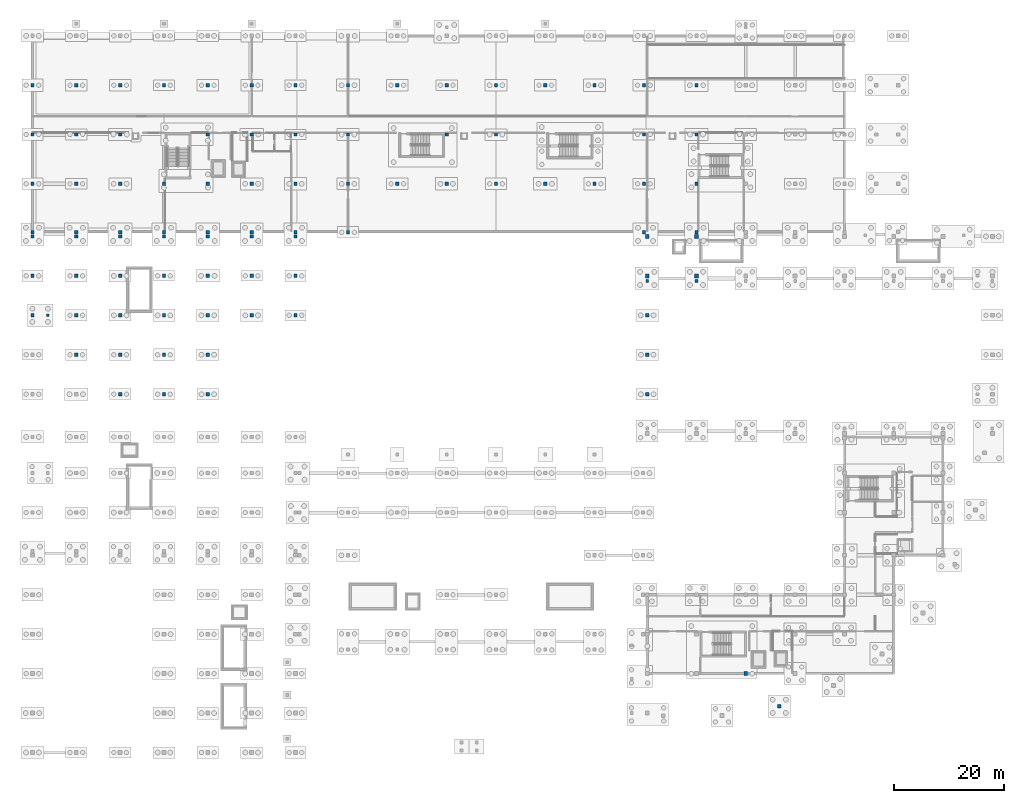
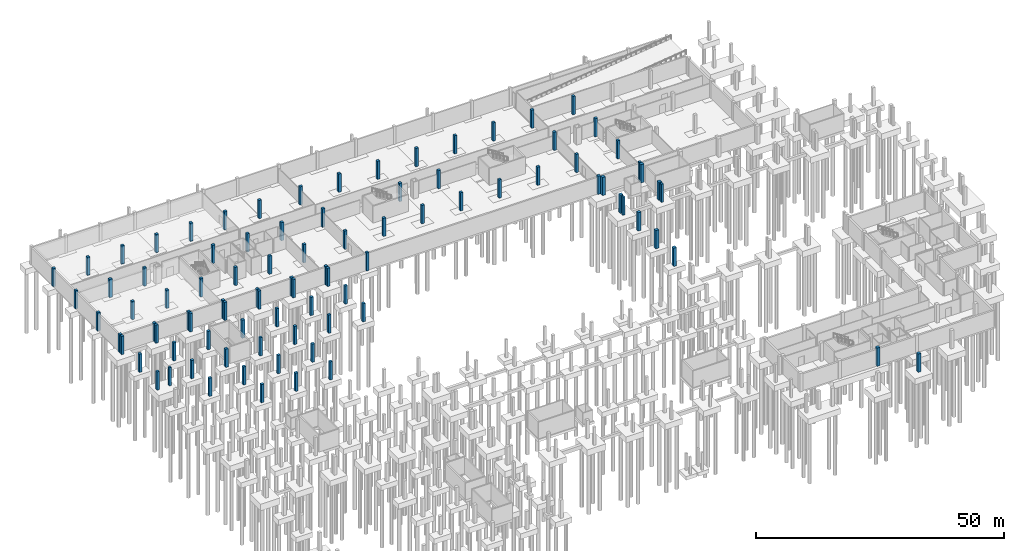
# One storey, part 14 of 36: 91 columns.
"""IFC4 building model written with IfcOpenShell, lengths in metres."""

from ifc_helpers import new_model, si_unit, direction, frame, origin, origin_2d, place, context, subcontext, project, spatial, rectangle, extrude, material, material_profile, profile_set, type_object, element, save


model = new_model("IFC4")

# Units and contexts
model_context = context("Model", 3, precision=1e-05, world=origin(), true_north=direction((0.0, 1.0)))
body_context = subcontext(model_context, "Body", "Model", "MODEL_VIEW")
ifc_project = project(units=[si_unit("LENGTHUNIT", "METRE"), si_unit("AREAUNIT", "SQUARE_METRE"), si_unit("VOLUMEUNIT", "CUBIC_METRE"), si_unit("PLANEANGLEUNIT", "RADIAN"), si_unit("MASSUNIT", "GRAM", prefix="KILO")], contexts=[model_context])

# Site, building, storey
site_placement = place(None, origin())
site = spatial("IfcSite", under=ifc_project, at=site_placement, CompositionType="ELEMENT")
building_placement = place(site_placement, origin())
building = spatial("IfcBuilding", under=site, at=building_placement, Name="Chiffa Square Polytechnic", CompositionType="ELEMENT")
storey_placement = place(building_placement, frame((0.0, 0.0, -4.5)))
storey = spatial("IfcBuildingStorey", under=building, at=storey_placement, Name="B1", CompositionType="ELEMENT", Elevation=-4.5)

# Columns
ifc_material_1 = material(Name="Concrete C35/45", Category="concrete")
ifc_material_profile_1 = material_profile(ifc_material_1, rectangle(XDim=0.5, YDim=0.5, at=origin_2d()), Name="RC 500x500")
ifc_profile_set_1 = profile_set([ifc_material_profile_1], Name="Concrete C35/45")
column_type_1 = type_object("IfcColumnType", Name="COL-PIER-500", PredefinedType="PILASTER", material=ifc_profile_set_1)
for number, where, z_axis, x_axis, name in (
    (1, (2.800048828125, 79.800048828125, 0.0), (0.0, 0.0, 1.0), (1.0, 0.0, 0.0), "Apron support pier CP-APR-B1-02"),
    (2, (112.199951171875, 86.050048828125, 0.0), (0.0, 0.0, 1.0), (1.0, 0.0, 0.0), "Crane stanchion foundation pier C-V2-CRN-B1-112-N"),
    (3, (121.199951171875, 86.050048828125, 0.0), (0.0, 0.0, 1.0), (1.0, 0.0, 0.0), "Crane stanchion foundation pier C-V2-CRN-B1-121-N"),
):
    element("IfcColumn", number, at=place(storey_placement, frame(where, z_axis=z_axis, x_axis=x_axis)), inside=storey, type_object=column_type_1, Name=name, PredefinedType="PILASTER", context=body_context, shape_type="SweptSolid", body=[
        extrude(rectangle(XDim=0.5, YDim=0.5, at=origin_2d()), origin(), (0.0, 0.0, 1.0), 4.5),
    ])
ifc_material_profile_2 = material_profile(ifc_material_1, rectangle(XDim=0.60009765625, YDim=0.60009765625, at=origin_2d()), Name="RC 600x600")
ifc_profile_set_2 = profile_set([ifc_material_profile_2], Name="Concrete C35/45")
column_type_2 = type_object("IfcColumnType", Name="COL-PIER-600", PredefinedType="PILASTER", material=ifc_profile_set_2)
for number, where, z_axis, x_axis, name in (
    (4, (0.0, 79.800048828125, 0.0), (0.0, 0.0, 1.0), (1.0, 0.0, 0.0), "Substructure column C-V6-B1-0000-0798"),
    (5, (0.0, 87.0, 0.0), (0.0, 0.0, 1.0), (1.0, 0.0, 0.0), "Substructure column C-V6-B1-0000-0870"),
    (6, (0.0, 94.199951171875, 0.0), (0.0, 0.0, 1.0), (1.0, 0.0, 0.0), "Substructure column C-V6-B1-0000-0942"),
    (7, (8.0, 72.60009765625, 0.0), (0.0, 0.0, 1.0), (1.0, 0.0, 0.0), "Substructure column C-V6-B1-0080-0726"),
    (8, (8.0, 79.800048828125, 0.0), (0.0, 0.0, 1.0), (1.0, 0.0, 0.0), "Substructure column C-V6-B1-0080-0798"),
    (9, (8.0, 87.0, 0.0), (0.0, 0.0, 1.0), (1.0, 0.0, 0.0), "Substructure column C-V6-B1-0080-0870"),
    (10, (8.0, 94.199951171875, 0.0), (0.0, 0.0, 1.0), (1.0, 0.0, 0.0), "Substructure column C-V6-B1-0080-0942"),
    (11, (16.0, 65.39990234375, 0.0), (0.0, 0.0, 1.0), (1.0, 0.0, 0.0), "Substructure column C-V6-B1-0160-0654"),
    (12, (16.0, 72.60009765625, 0.0), (0.0, 0.0, 1.0), (1.0, 0.0, 0.0), "Substructure column C-V6-B1-0160-0726"),
    (13, (16.0, 79.800048828125, 0.0), (0.0, 0.0, 1.0), (1.0, 0.0, 0.0), "Substructure column C-V6-B1-0160-0798"),
    (14, (16.0, 87.0, 0.0), (0.0, 0.0, 1.0), (1.0, 0.0, 0.0), "Substructure column C-V6-B1-0160-0870"),
    (15, (16.0, 94.199951171875, 0.0), (0.0, 0.0, 1.0), (1.0, 0.0, 0.0), "Substructure column C-V6-B1-0160-0942"),
    (16, (24.0, 65.39990234375, 0.0), (0.0, 0.0, 1.0), (1.0, 0.0, 0.0), "Substructure column C-V6-B1-0240-0654"),
    (17, (24.0, 72.60009765625, 0.0), (0.0, 0.0, 1.0), (1.0, 0.0, 0.0), "Substructure column C-V6-B1-0240-0726"),
    (18, (24.0, 79.800048828125, 0.0), (0.0, 0.0, 1.0), (1.0, 0.0, 0.0), "Substructure column C-V6-B1-0240-0798"),
    (19, (24.0, 87.0, 0.0), (0.0, 0.0, 1.0), (1.0, 0.0, 0.0), "Substructure column C-V6-B1-0240-0870"),
    (20, (24.0, 94.199951171875, 0.0), (0.0, 0.0, 1.0), (1.0, 0.0, 0.0), "Substructure column C-V6-B1-0240-0942"),
    (21, (32.0, 65.39990234375, 0.0), (0.0, 0.0, 1.0), (1.0, 0.0, 0.0), "Substructure column C-V6-B1-0320-0654"),
    (22, (32.0, 72.60009765625, 0.0), (0.0, 0.0, 1.0), (1.0, 0.0, 0.0), "Substructure column C-V6-B1-0320-0726"),
    (23, (32.0, 79.800048828125, 0.0), (0.0, 0.0, 1.0), (1.0, 0.0, 0.0), "Substructure column C-V6-B1-0320-0798"),
    (24, (32.0, 87.0, 0.0), (0.0, 0.0, 1.0), (1.0, 0.0, 0.0), "Substructure column C-V6-B1-0320-0870"),
    (25, (32.0, 94.199951171875, 0.0), (0.0, 0.0, 1.0), (1.0, 0.0, 0.0), "Substructure column C-V6-B1-0320-0942"),
    (26, (40.0, 79.800048828125, 0.0), (0.0, 0.0, 1.0), (1.0, 0.0, 0.0), "Substructure column C-V6-B1-0400-0798"),
    (27, (40.0, 87.0, 0.0), (0.0, 0.0, 1.0), (1.0, 0.0, 0.0), "Substructure column C-V6-B1-0400-0870"),
    (28, (40.0, 94.199951171875, 0.0), (0.0, 0.0, 1.0), (1.0, 0.0, 0.0), "Substructure column C-V6-B1-0400-0942"),
    (29, (48.0, 79.800048828125, 0.0), (0.0, 0.0, 1.0), (1.0, 0.0, 0.0), "Substructure column C-V6-B1-0480-0798"),
    (30, (48.0, 87.0, 0.0), (0.0, 0.0, 1.0), (1.0, 0.0, 0.0), "Substructure column C-V6-B1-0480-0870"),
    (31, (48.0, 94.199951171875, 0.0), (0.0, 0.0, 1.0), (1.0, 0.0, 0.0), "Substructure column C-V6-B1-0480-0942"),
):
    element("IfcColumn", number, at=place(storey_placement, frame(where, z_axis=z_axis, x_axis=x_axis)), inside=storey, type_object=column_type_2, Name=name, PredefinedType="PILASTER", context=body_context, shape_type="SweptSolid", body=[
        extrude(rectangle(XDim=0.60009765625, YDim=0.60009765625, at=origin_2d()), origin(), (0.0, 0.0, 1.0), 4.5),
    ])
ifc_material_profile_3 = material_profile(ifc_material_1, rectangle(XDim=0.699951171875, YDim=0.699951171875, at=origin_2d()), Name="RC 700x700")
ifc_profile_set_3 = profile_set([ifc_material_profile_3], Name="Concrete C35/45")
column_type_3 = type_object("IfcColumnType", Name="COL-PIER-700", PredefinedType="PILASTER", material=ifc_profile_set_3)
for number, where, z_axis, x_axis, name in (
    (32, (112.199951171875, 65.39990234375, 0.0), (0.0, 0.0, 1.0), (1.0, 0.0, 0.0), "Substructure column C-V2-B1-1122-0654"),
    (33, (112.199951171875, 72.60009765625, 0.0), (0.0, 0.0, 1.0), (1.0, 0.0, 0.0), "Substructure column C-V2-B1-1122-0726"),
    (34, (112.199951171875, 79.800048828125, 0.0), (0.0, 0.0, 1.0), (1.0, 0.0, 0.0), "Substructure column C-V2-B1-1122-0798"),
    (35, (112.199951171875, 87.0, 0.0), (0.0, 0.0, 1.0), (1.0, 0.0, 0.0), "Substructure column C-V2-B1-1122-0870"),
    (36, (112.199951171875, 94.199951171875, 0.0), (0.0, 0.0, 1.0), (1.0, 0.0, 0.0), "Substructure column C-V2-B1-1122-0942"),
    (37, (121.199951171875, 87.0, 0.0), (0.0, 0.0, 1.0), (1.0, 0.0, 0.0), "Substructure column C-V2-B1-1212-0870"),
    (38, (121.199951171875, 94.199951171875, 0.0), (0.0, 0.0, 1.0), (1.0, 0.0, 0.0), "Substructure column C-V2-B1-1212-0942"),
    (39, (136.306884765625, 8.43408203125, 0.0), (0.0, 0.0, 1.0), (1.0, 0.0, 0.0), "Prow V-column foundation pier CP-V1-VB-03"),
):
    element("IfcColumn", number, at=place(storey_placement, frame(where, z_axis=z_axis, x_axis=x_axis)), inside=storey, type_object=column_type_3, Name=name, PredefinedType="PILASTER", context=body_context, shape_type="SweptSolid", body=[
        extrude(rectangle(XDim=0.699951171875, YDim=0.699951171875, at=origin_2d()), origin(), (0.0, 0.0, 1.0), 4.5),
    ])
ifc_material_2 = material(Name="Concrete C40/50", Category="concrete")
ifc_material_profile_4 = material_profile(ifc_material_2, rectangle(XDim=0.60009765625, YDim=0.60009765625, at=origin_2d()), Name="RC 600x600")
ifc_profile_set_4 = profile_set([ifc_material_profile_4], Name="Concrete C40/50")
column_type_4 = type_object("IfcColumnType", Name="COL-RC-600", PredefinedType="COLUMN", material=ifc_profile_set_4)
for number, where, z_axis, x_axis, name in (
    (40, (0.0, 94.949951171875, 0.0), (0.0, 0.0, 1.0), (1.0, 0.0, 0.0), "Substructure column C-V5-B1-0000-0950"),
    (41, (0.0, 103.800048828125, 0.0), (0.0, 0.0, 1.0), (1.0, 0.0, 0.0), "Substructure column C-V5-B1-0000-1038"),
    (42, (0.0, 112.800048828125, 0.0), (0.0, 0.0, 1.0), (1.0, 0.0, 0.0), "Substructure column C-V5-B1-0000-1128"),
    (43, (0.0, 121.800048828125, 0.0), (0.0, 0.0, 1.0), (1.0, 0.0, 0.0), "Substructure column C-V5-B1-0000-1218"),
    (44, (8.0, 94.949951171875, 0.0), (0.0, 0.0, 1.0), (1.0, 0.0, 0.0), "Substructure column C-V5-B1-0080-0950"),
    (45, (8.0, 103.800048828125, 0.0), (0.0, 0.0, 1.0), (1.0, 0.0, 0.0), "Substructure column C-V5-B1-0080-1038"),
    (46, (8.0, 112.800048828125, 0.0), (0.0, 0.0, 1.0), (1.0, 0.0, 0.0), "Substructure column C-V5-B1-0080-1128"),
    (47, (8.0, 121.800048828125, 0.0), (0.0, 0.0, 1.0), (1.0, 0.0, 0.0), "Substructure column C-V5-B1-0080-1218"),
    (48, (16.0, 94.949951171875, 0.0), (0.0, 0.0, 1.0), (1.0, 0.0, 0.0), "Substructure column C-V5-B1-0160-0950"),
    (49, (16.0, 103.800048828125, 0.0), (0.0, 0.0, 1.0), (1.0, 0.0, 0.0), "Substructure column C-V5-B1-0160-1038"),
    (50, (16.0, 112.800048828125, 0.0), (0.0, 0.0, 1.0), (1.0, 0.0, 0.0), "Substructure column C-V5-B1-0160-1128"),
    (51, (16.0, 121.800048828125, 0.0), (0.0, 0.0, 1.0), (1.0, 0.0, 0.0), "Substructure column C-V5-B1-0160-1218"),
    (52, (24.0, 94.949951171875, 0.0), (0.0, 0.0, 1.0), (1.0, 0.0, 0.0), "Substructure column C-V5-B1-0240-0950"),
    (53, (24.0, 103.800048828125, 0.0), (0.0, 0.0, 1.0), (1.0, 0.0, 0.0), "Substructure column C-V5-B1-0240-1038"),
    (54, (24.0, 121.800048828125, 0.0), (0.0, 0.0, 1.0), (1.0, 0.0, 0.0), "Substructure column C-V5-B1-0240-1218"),
    (55, (32.0, 94.949951171875, 0.0), (0.0, 0.0, 1.0), (1.0, 0.0, 0.0), "Substructure column C-V5-B1-0320-0950"),
    (56, (32.0, 103.800048828125, 0.0), (0.0, 0.0, 1.0), (1.0, 0.0, 0.0), "Substructure column C-V5-B1-0320-1038"),
    (57, (32.0, 112.800048828125, 0.0), (0.0, 0.0, 1.0), (1.0, 0.0, 0.0), "Substructure column C-V5-B1-0320-1128"),
    (58, (32.0, 121.800048828125, 0.0), (0.0, 0.0, 1.0), (1.0, 0.0, 0.0), "Substructure column C-V5-B1-0320-1218"),
    (59, (40.0, 94.949951171875, 0.0), (0.0, 0.0, 1.0), (1.0, 0.0, 0.0), "Substructure column C-V5-B1-0400-0950"),
    (60, (40.0, 103.800048828125, 0.0), (0.0, 0.0, 1.0), (1.0, 0.0, 0.0), "Substructure column C-V5-B1-0400-1038"),
    (61, (40.0, 112.800048828125, 0.0), (0.0, 0.0, 1.0), (1.0, 0.0, 0.0), "Substructure column C-V5-B1-0400-1128"),
    (62, (40.0, 121.800048828125, 0.0), (0.0, 0.0, 1.0), (1.0, 0.0, 0.0), "Substructure column C-V5-B1-0400-1218"),
    (63, (48.0, 94.949951171875, 0.0), (0.0, 0.0, 1.0), (1.0, 0.0, 0.0), "Substructure column C-V5-B1-0480-0950"),
    (64, (48.0, 103.800048828125, 0.0), (0.0, 0.0, 1.0), (1.0, 0.0, 0.0), "Substructure column C-V5-B1-0480-1038"),
    (65, (48.0, 112.800048828125, 0.0), (0.0, 0.0, 1.0), (1.0, 0.0, 0.0), "Substructure column C-V5-B1-0480-1128"),
    (66, (48.0, 121.800048828125, 0.0), (0.0, 0.0, 1.0), (1.0, 0.0, 0.0), "Substructure column C-V5-B1-0480-1218"),
    (67, (57.60009765625, 94.949951171875, 0.0), (0.0, 0.0, 1.0), (1.0, 0.0, 0.0), "Substructure column C-V5-B1-0576-0950"),
    (68, (57.60009765625, 103.800048828125, 0.0), (0.0, 0.0, 1.0), (1.0, 0.0, 0.0), "Substructure column C-V5-B1-0576-1038"),
    (69, (57.60009765625, 112.800048828125, 0.0), (0.0, 0.0, 1.0), (1.0, 0.0, 0.0), "Substructure column C-V5-B1-0576-1128"),
    (70, (57.60009765625, 121.800048828125, 0.0), (0.0, 0.0, 1.0), (1.0, 0.0, 0.0), "Substructure column C-V5-B1-0576-1218"),
    (71, (66.60009765625, 103.800048828125, 0.0), (0.0, 0.0, 1.0), (1.0, 0.0, 0.0), "Substructure column C-V5-B1-0666-1038"),
    (72, (66.60009765625, 121.800048828125, 0.0), (0.0, 0.0, 1.0), (1.0, 0.0, 0.0), "Substructure column C-V5-B1-0666-1218"),
    (73, (75.60009765625, 103.800048828125, 0.0), (0.0, 0.0, 1.0), (1.0, 0.0, 0.0), "Substructure column C-V5-B1-0756-1038"),
    (74, (75.60009765625, 112.800048828125, 0.0), (0.0, 0.0, 1.0), (1.0, 0.0, 0.0), "Substructure column C-V5-B1-0756-1128"),
    (75, (75.60009765625, 121.800048828125, 0.0), (0.0, 0.0, 1.0), (1.0, 0.0, 0.0), "Substructure column C-V5-B1-0756-1218"),
    (76, (84.60009765625, 103.800048828125, 0.0), (0.0, 0.0, 1.0), (1.0, 0.0, 0.0), "Substructure column C-V5-B1-0846-1038"),
    (77, (84.60009765625, 112.800048828125, 0.0), (0.0, 0.0, 1.0), (1.0, 0.0, 0.0), "Substructure column C-V5-B1-0846-1128"),
    (78, (84.60009765625, 121.800048828125, 0.0), (0.0, 0.0, 1.0), (1.0, 0.0, 0.0), "Substructure column C-V5-B1-0846-1218"),
    (79, (93.60009765625, 103.800048828125, 0.0), (0.0, 0.0, 1.0), (1.0, 0.0, 0.0), "Substructure column C-V5-B1-0936-1038"),
    (80, (93.60009765625, 121.800048828125, 0.0), (0.0, 0.0, 1.0), (1.0, 0.0, 0.0), "Substructure column C-V5-B1-0936-1218"),
    (81, (102.60009765625, 103.800048828125, 0.0), (0.0, 0.0, 1.0), (1.0, 0.0, 0.0), "Substructure column C-V5-B1-1026-1038"),
    (82, (102.60009765625, 121.800048828125, 0.0), (0.0, 0.0, 1.0), (1.0, 0.0, 0.0), "Substructure column C-V5-B1-1026-1218"),
    (83, (111.60009765625, 94.949951171875, 0.0), (0.0, 0.0, 1.0), (1.0, 0.0, 0.0), "Substructure column C-V5-B1-1116-0950"),
    (84, (111.60009765625, 103.800048828125, 0.0), (0.0, 0.0, 1.0), (1.0, 0.0, 0.0), "Substructure column C-V5-B1-1116-1038"),
    (85, (111.60009765625, 112.800048828125, 0.0), (0.0, 0.0, 1.0), (1.0, 0.0, 0.0), "Substructure column C-V5-B1-1116-1128"),
    (86, (111.60009765625, 121.800048828125, 0.0), (0.0, 0.0, 1.0), (1.0, 0.0, 0.0), "Substructure column C-V5-B1-1116-1218"),
    (87, (121.199951171875, 94.949951171875, 0.0), (0.0, 0.0, 1.0), (1.0, 0.0, 0.0), "Substructure column C-V5-B1-1212-0950"),
    (88, (121.199951171875, 103.800048828125, 0.0), (0.0, 0.0, 1.0), (1.0, 0.0, 0.0), "Substructure column C-V5-B1-1212-1038"),
    (89, (121.199951171875, 112.800048828125, 0.0), (0.0, 0.0, 1.0), (1.0, 0.0, 0.0), "Substructure column C-V5-B1-1212-1128"),
    (90, (121.199951171875, 121.800048828125, 0.0), (0.0, 0.0, 1.0), (1.0, 0.0, 0.0), "Substructure column C-V5-B1-1212-1218"),
):
    element("IfcColumn", number, at=place(storey_placement, frame(where, z_axis=z_axis, x_axis=x_axis)), inside=storey, type_object=column_type_4, Name=name, PredefinedType="COLUMN", context=body_context, shape_type="SweptSolid", body=[
        extrude(rectangle(XDim=0.60009765625, YDim=0.60009765625, at=origin_2d()), origin(), (0.0, 0.0, 1.0), 4.5),
    ])
ifc_material_profile_5 = material_profile(ifc_material_2, rectangle(XDim=0.699951171875, YDim=0.699951171875, at=origin_2d()), Name="RC 700x700")
ifc_profile_set_5 = profile_set([ifc_material_profile_5], Name="Concrete C40/50")
column_type_5 = type_object("IfcColumnType", Name="COL-RC-700", PredefinedType="COLUMN", material=ifc_profile_set_5)
column_placement = place(storey_placement, frame((130.199951171875, 14.39990234375, 0.0), z_axis=(0.0, 0.0, 1.0), x_axis=(1.0, 0.0, 0.0)))
element("IfcColumn", 91, at=column_placement, inside=storey, type_object=column_type_5, Name="Substructure column C-V1-B1-1302-0144", PredefinedType="COLUMN", context=body_context, shape_type="SweptSolid", body=[
    extrude(rectangle(XDim=0.699951171875, YDim=0.699951171875, at=origin_2d()), origin(), (0.0, 0.0, 1.0), 4.5),
])

save(model, "model.ifc")
